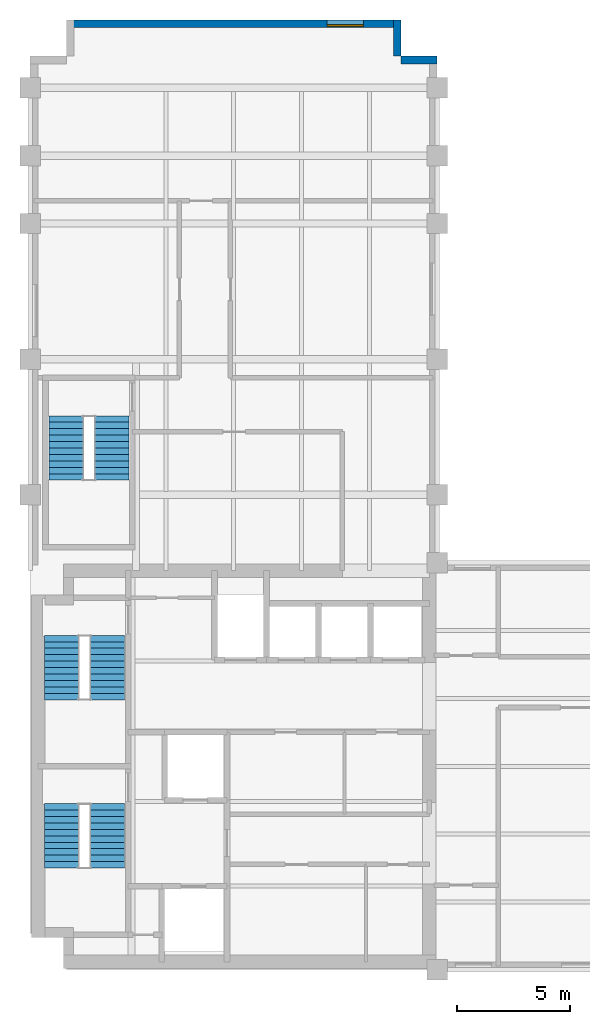
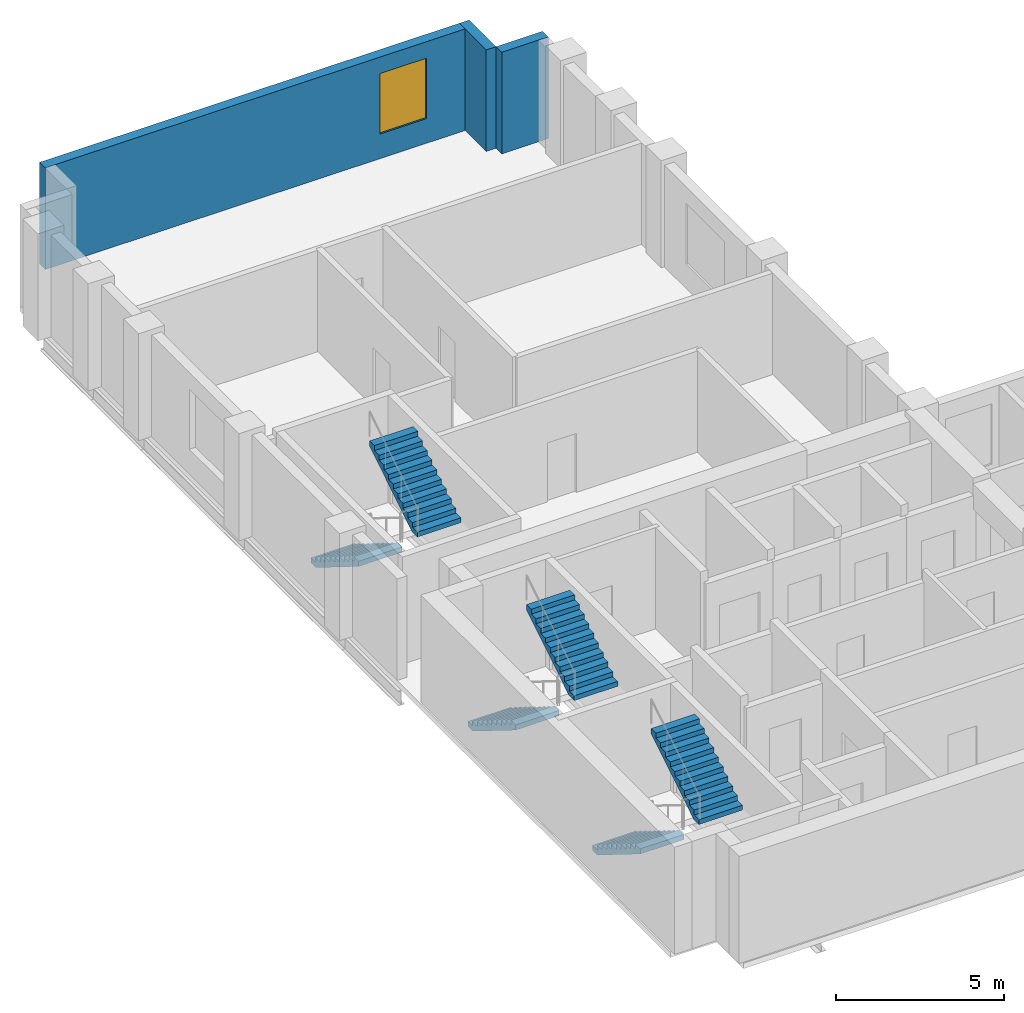
# One storey, part 5 of 6: 6 stair flights, 3 walls, 1 window, 1 opening, 3 elements without a shape of their own.
"""IFC4 building model written with IfcOpenShell, lengths in metres."""

from ifc_helpers import new_model, si_unit, direction, frame, frame_2d, origin, place, context, subcontext, project, spatial, polyline, rectangle, outline, extrude, material, layer, layer_set, type_object, element, fill, aggregate, save


model = new_model("IFC4")

# Units and contexts
model_context = context("Model", 3, precision=1e-05, world=origin(), true_north=direction((0.0, 1.0)))
body_context = subcontext(model_context, "Body", "Model", "MODEL_VIEW")
ifc_project = project(units=[si_unit("LENGTHUNIT", "METRE"), si_unit("AREAUNIT", "SQUARE_METRE"), si_unit("VOLUMEUNIT", "CUBIC_METRE"), si_unit("PLANEANGLEUNIT", "RADIAN"), si_unit("MASSUNIT", "GRAM", prefix="KILO")], contexts=[model_context])

# Site, building, storey
site_placement = place(None, origin())
site = spatial("IfcSite", under=ifc_project, at=site_placement, CompositionType="ELEMENT")
building_placement = place(site_placement, origin())
building = spatial("IfcBuilding", under=site, at=building_placement, Name="Mawjdan Bourse Tower", CompositionType="ELEMENT")
storey_placement = place(building_placement, frame((0.0, 0.0, 187.800048828125)))
storey = spatial("IfcBuildingStorey", under=building, at=storey_placement, Name="L45", CompositionType="ELEMENT", Elevation=187.800048828125)

# Walls
ifc_material_1 = material(Name="Brick Masonry Buff", Category="masonry")
ifc_layer = layer(ifc_material_1, 0.340087890625)
ifc_layer_set = layer_set([ifc_layer], Name="Brick Masonry Buff")
wall_type = type_object("IfcWallType", Name="WL-BRK-SPN-340", PredefinedType="STANDARD", material=ifc_layer_set)
for number, where, z_axis, x_axis, name in (
    (1, (24.0, 43.22998046875, 0.0), (0.0, 0.0, 1.0), (-1.0, 0.0, 0.0), "L45 Exterior Brick Wall 9"),
    (2, (22.22998046875, 43.39990234375, 0.0), (0.0, 0.0, 1.0), (0.0, 1.0, 0.0), "L45 Exterior Brick Wall 10"),
):
    element("IfcWall", number, at=place(storey_placement, frame(where, z_axis=z_axis, x_axis=x_axis)), inside=storey, type_object=wall_type, Name=name, PredefinedType="STANDARD", context=body_context, shape_type="SweptSolid", body=[
        extrude(rectangle(XDim=1.60009765625, YDim=0.340087890625, at=frame_2d((0.800048828125, 0.0))), origin(), (0.0, 0.0, 1.0), 3.699951171875),
    ])

# Wall, opening, window
wall_placement = place(storey_placement, frame((22.39990234375, 44.830078125, 0.0), z_axis=(0.0, 0.0, 1.0), x_axis=(-1.0, 0.0, 0.0)))
wall = element("IfcWall", 3, at=wall_placement, inside=storey, type_object=wall_type, Name="L45 Exterior Brick Wall 11", PredefinedType="STANDARD", context=body_context, shape_type="SweptSolid", body=[
    extrude(rectangle(XDim=14.7998046875, YDim=0.340087890625, at=frame_2d((7.39990234375, 0.0))), origin(), (0.0, 0.0, 1.0), 3.699951171875),
])
opening_placement = place(wall_placement, frame((1.666748046875, 0.0, 0.89990234375)))
opening = element("IfcOpeningElement", 4, at=opening_placement, cuts=wall, Name="Opening W-L45-06", PredefinedType="OPENING", context=body_context, shape_type="SweptSolid", body=[
    extrude(rectangle(XDim=1.60009765625, YDim=2.199951171875, at=frame_2d((0.800048828125, 1.10009765625))), frame((0.0, 0.18017578125, 0.0), z_axis=(0.0, -1.0, 0.0), x_axis=(1.0, 0.0, 0.0)), (0.0, 0.0, 1.0), 0.360107421875),
])
ifc_material_2 = material(Name="Solar-Control Clear Double Glazing", Category="glass")
window_type = type_object("IfcWindowType", Name="WN-Z3-1600", PartitioningType="SINGLE_PANEL", PredefinedType="WINDOW", material=ifc_material_2)
window_placement = place(opening_placement, origin())
window = element("IfcWindow", 5, at=window_placement, inside=storey, type_object=window_type, Name="L45 Deep-Set Masonry Window W-L45-06", OverallHeight=2.199951171875, OverallWidth=1.60009765625, PartitioningType="SINGLE_PANEL", PredefinedType="WINDOW", context=body_context, shape_type="SweptSolid", body=[
    extrude(rectangle(XDim=1.60009765625, YDim=2.199951171875, at=frame_2d((0.800048828125, 1.10009765625))), frame((0.0, 0.110107421875, 0.0), z_axis=(0.0, -1.0, 0.0), x_axis=(1.0, 0.0, 0.0)), (0.0, 0.0, 1.0), 0.06005859375),
])
fill(opening, window)

# Stair, stair flights
ifc_material_3 = material(Name="Concrete C50/60", Category="concrete")
stair_type = type_object("IfcStairType", Name="STR-CORE-1500", PredefinedType="HALF_TURN_STAIR", material=ifc_material_3)
stair_1_placement = place(storey_placement, origin())
stair_1 = element("IfcStair", 6, at=stair_1_placement, inside=storey, type_object=stair_type, Name="L45 Exit Stair 1 (Core South-West)", PredefinedType="HALF_TURN_STAIR")
stair_flight_type = type_object("IfcStairFlightType", Name="SFL-RC-1500", PredefinedType="STRAIGHT", material=ifc_material_3)
stair_flight_1_placement = place(storey_placement, frame((7.389892578125, 10.35009765625, 0.0), z_axis=(0.0, 0.0, 1.0), x_axis=(0.0, -1.0, 0.0)))
stair_flight_1 = element("IfcStairFlight", 7, at=stair_flight_1_placement, type_object=stair_flight_type, Name="ST1-L45 flight 1", NumberOfRisers=11, NumberOfTreads=10, PredefinedType="STRAIGHT", RiserHeight=0.177273, TreadLength=0.285, context=body_context, shape_type="SweptSolid", body=[
    extrude(outline(polyline([(0.0, 0.0), (0.0, 0.17724609375), (0.284912109375, 0.17724609375), (0.284912109375, 0.3544921875), (0.570068359375, 0.3544921875), (0.570068359375, 0.53173828125), (0.85498046875, 0.53173828125), (0.85498046875, 0.708984375), (1.139892578125, 0.708984375), (1.139892578125, 0.886474609375), (1.425048828125, 0.886474609375), (1.425048828125, 1.063720703125), (1.7099609375, 1.063720703125), (1.7099609375, 1.240966796875), (1.9951171875, 1.240966796875), (1.9951171875, 1.418212890625), (2.280029296875, 1.418212890625), (2.280029296875, 1.595458984375), (2.56494140625, 1.595458984375), (2.56494140625, 1.772705078125), (2.85009765625, 1.772705078125), (2.85009765625, 1.949951171875), (2.85009765625, 1.58447265625), (0.302734375, 0.0), (0.0, 0.0)])), frame((0.0, 0.75, 0.0), z_axis=(0.0, -1.0, 0.0), x_axis=(1.0, 0.0, 0.0)), (0.0, 0.0, 1.0), 1.5),
])
stair_flight_2_placement = place(storey_placement, frame((9.409912109375, 7.5, 1.949951171875), z_axis=(0.0, 0.0, 1.0), x_axis=(0.0, 1.0, 0.0)))
stair_flight_2 = element("IfcStairFlight", 8, at=stair_flight_2_placement, type_object=stair_flight_type, Name="ST1-L45 flight 2", NumberOfRisers=11, NumberOfTreads=10, PredefinedType="STRAIGHT", RiserHeight=0.177273, TreadLength=0.285, context=body_context, shape_type="SweptSolid", body=[
    extrude(outline(polyline([(0.0, 0.0), (0.0, 0.17724609375), (0.284912109375, 0.17724609375), (0.284912109375, 0.3544921875), (0.570068359375, 0.3544921875), (0.570068359375, 0.53173828125), (0.85498046875, 0.53173828125), (0.85498046875, 0.708984375), (1.139892578125, 0.708984375), (1.139892578125, 0.886474609375), (1.425048828125, 0.886474609375), (1.425048828125, 1.063720703125), (1.7099609375, 1.063720703125), (1.7099609375, 1.240966796875), (1.9951171875, 1.240966796875), (1.9951171875, 1.418212890625), (2.280029296875, 1.418212890625), (2.280029296875, 1.595458984375), (2.56494140625, 1.595458984375), (2.56494140625, 1.772705078125), (2.85009765625, 1.772705078125), (2.85009765625, 1.949951171875), (2.85009765625, 1.58447265625), (0.302734375, 0.0), (0.0, 0.0)])), frame((0.0, 0.75, 0.0), z_axis=(0.0, -1.0, 0.0), x_axis=(1.0, 0.0, 0.0)), (0.0, 0.0, 1.0), 1.5),
])
aggregate(stair_1, [stair_flight_1, stair_flight_2])

stair_2_placement = place(storey_placement, origin())
stair_2 = element("IfcStair", 9, at=stair_2_placement, inside=storey, type_object=stair_type, Name="L45 Exit Stair 2 (Core North-West)", PredefinedType="HALF_TURN_STAIR")
stair_flight_3_placement = place(storey_placement, frame((7.389892578125, 17.7900390625, 0.0), z_axis=(0.0, 0.0, 1.0), x_axis=(0.0, -1.0, 0.0)))
stair_flight_3 = element("IfcStairFlight", 10, at=stair_flight_3_placement, type_object=stair_flight_type, Name="ST2-L45 flight 1", NumberOfRisers=11, NumberOfTreads=10, PredefinedType="STRAIGHT", RiserHeight=0.177273, TreadLength=0.285, context=body_context, shape_type="SweptSolid", body=[
    extrude(outline(polyline([(0.0, 0.0), (0.0, 0.17724609375), (0.284912109375, 0.17724609375), (0.284912109375, 0.3544921875), (0.570068359375, 0.3544921875), (0.570068359375, 0.53173828125), (0.85498046875, 0.53173828125), (0.85498046875, 0.708984375), (1.139892578125, 0.708984375), (1.139892578125, 0.886474609375), (1.425048828125, 0.886474609375), (1.425048828125, 1.063720703125), (1.7099609375, 1.063720703125), (1.7099609375, 1.240966796875), (1.9951171875, 1.240966796875), (1.9951171875, 1.418212890625), (2.280029296875, 1.418212890625), (2.280029296875, 1.595458984375), (2.56494140625, 1.595458984375), (2.56494140625, 1.772705078125), (2.85009765625, 1.772705078125), (2.85009765625, 1.949951171875), (2.85009765625, 1.58447265625), (0.302734375, 0.0), (0.0, 0.0)])), frame((0.0, 0.75, 0.0), z_axis=(0.0, -1.0, 0.0), x_axis=(1.0, 0.0, 0.0)), (0.0, 0.0, 1.0), 1.5),
])
stair_flight_4_placement = place(storey_placement, frame((9.409912109375, 14.93994140625, 1.949951171875), z_axis=(0.0, 0.0, 1.0), x_axis=(0.0, 1.0, 0.0)))
stair_flight_4 = element("IfcStairFlight", 11, at=stair_flight_4_placement, type_object=stair_flight_type, Name="ST2-L45 flight 2", NumberOfRisers=11, NumberOfTreads=10, PredefinedType="STRAIGHT", RiserHeight=0.177273, TreadLength=0.285, context=body_context, shape_type="SweptSolid", body=[
    extrude(outline(polyline([(0.0, 0.0), (0.0, 0.17724609375), (0.284912109375, 0.17724609375), (0.284912109375, 0.3544921875), (0.570068359375, 0.3544921875), (0.570068359375, 0.53173828125), (0.85498046875, 0.53173828125), (0.85498046875, 0.708984375), (1.139892578125, 0.708984375), (1.139892578125, 0.886474609375), (1.425048828125, 0.886474609375), (1.425048828125, 1.063720703125), (1.7099609375, 1.063720703125), (1.7099609375, 1.240966796875), (1.9951171875, 1.240966796875), (1.9951171875, 1.418212890625), (2.280029296875, 1.418212890625), (2.280029296875, 1.595458984375), (2.56494140625, 1.595458984375), (2.56494140625, 1.772705078125), (2.85009765625, 1.772705078125), (2.85009765625, 1.949951171875), (2.85009765625, 1.58447265625), (0.302734375, 0.0), (0.0, 0.0)])), frame((0.0, 0.75, 0.0), z_axis=(0.0, -1.0, 0.0), x_axis=(1.0, 0.0, 0.0)), (0.0, 0.0, 1.0), 1.5),
])
aggregate(stair_2, [stair_flight_3, stair_flight_4])

stair_3_placement = place(storey_placement, origin())
stair_3 = element("IfcStair", 12, at=stair_3_placement, inside=storey, type_object=stair_type, Name="L45 Exit Stair 3 (North Wing)", PredefinedType="HALF_TURN_STAIR")
stair_flight_5_placement = place(storey_placement, frame((7.590087890625, 27.5, 0.0), z_axis=(0.0, 0.0, 1.0), x_axis=(0.0, -1.0, 0.0)))
stair_flight_5 = element("IfcStairFlight", 13, at=stair_flight_5_placement, type_object=stair_flight_type, Name="ST3-L45 flight 1", NumberOfRisers=11, NumberOfTreads=10, PredefinedType="STRAIGHT", RiserHeight=0.177273, TreadLength=0.285, context=body_context, shape_type="SweptSolid", body=[
    extrude(outline(polyline([(0.0, 0.0), (0.0, 0.17724609375), (0.284912109375, 0.17724609375), (0.284912109375, 0.3544921875), (0.570068359375, 0.3544921875), (0.570068359375, 0.53173828125), (0.85498046875, 0.53173828125), (0.85498046875, 0.708984375), (1.139892578125, 0.708984375), (1.139892578125, 0.886474609375), (1.425048828125, 0.886474609375), (1.425048828125, 1.063720703125), (1.7099609375, 1.063720703125), (1.7099609375, 1.240966796875), (1.9951171875, 1.240966796875), (1.9951171875, 1.418212890625), (2.280029296875, 1.418212890625), (2.280029296875, 1.595458984375), (2.56494140625, 1.595458984375), (2.56494140625, 1.772705078125), (2.85009765625, 1.772705078125), (2.85009765625, 1.949951171875), (2.85009765625, 1.58447265625), (0.302734375, 0.0), (0.0, 0.0)])), frame((0.0, 0.75, 0.0), z_axis=(0.0, -1.0, 0.0), x_axis=(1.0, 0.0, 0.0)), (0.0, 0.0, 1.0), 1.5),
])
stair_flight_6_placement = place(storey_placement, frame((9.610107421875, 24.64990234375, 1.949951171875), z_axis=(0.0, 0.0, 1.0), x_axis=(0.0, 1.0, 0.0)))
stair_flight_6 = element("IfcStairFlight", 14, at=stair_flight_6_placement, type_object=stair_flight_type, Name="ST3-L45 flight 2", NumberOfRisers=11, NumberOfTreads=10, PredefinedType="STRAIGHT", RiserHeight=0.177273, TreadLength=0.285, context=body_context, shape_type="SweptSolid", body=[
    extrude(outline(polyline([(0.0, 0.0), (0.0, 0.17724609375), (0.284912109375, 0.17724609375), (0.284912109375, 0.3544921875), (0.570068359375, 0.3544921875), (0.570068359375, 0.53173828125), (0.85498046875, 0.53173828125), (0.85498046875, 0.708984375), (1.139892578125, 0.708984375), (1.139892578125, 0.886474609375), (1.425048828125, 0.886474609375), (1.425048828125, 1.063720703125), (1.7099609375, 1.063720703125), (1.7099609375, 1.240966796875), (1.9951171875, 1.240966796875), (1.9951171875, 1.418212890625), (2.280029296875, 1.418212890625), (2.280029296875, 1.595458984375), (2.56494140625, 1.595458984375), (2.56494140625, 1.772705078125), (2.85009765625, 1.772705078125), (2.85009765625, 1.949951171875), (2.85009765625, 1.58447265625), (0.302734375, 0.0), (0.0, 0.0)])), frame((0.0, 0.75, 0.0), z_axis=(0.0, -1.0, 0.0), x_axis=(1.0, 0.0, 0.0)), (0.0, 0.0, 1.0), 1.5),
])
aggregate(stair_3, [stair_flight_5, stair_flight_6])

save(model, "model.ifc")
